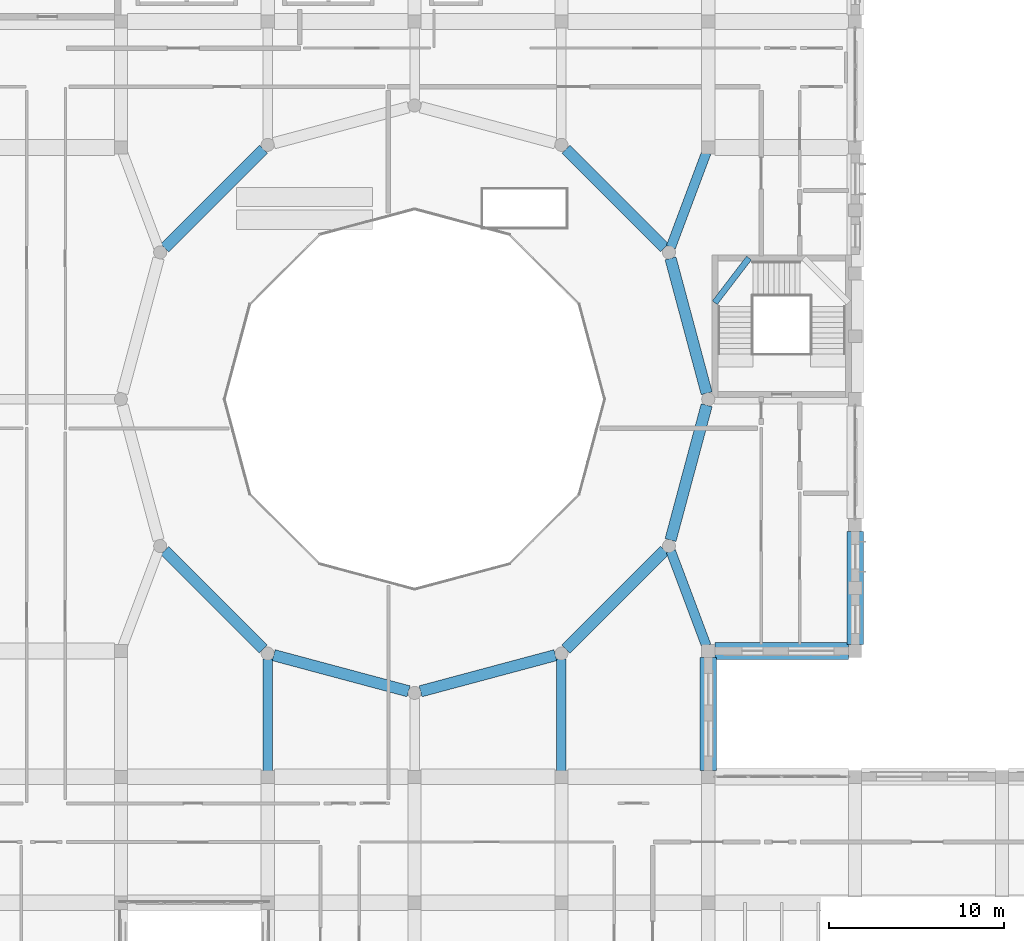
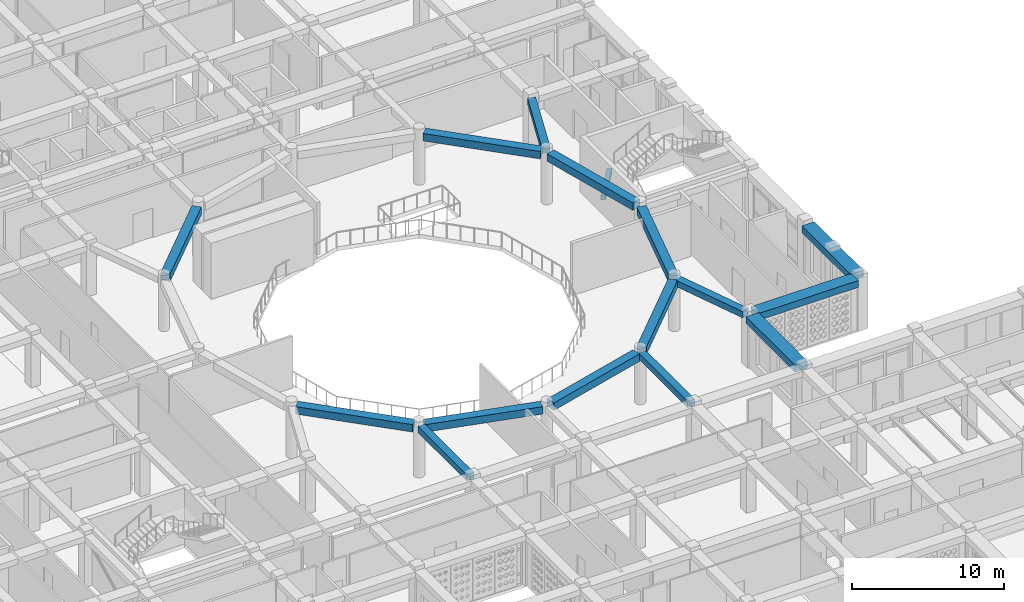
# One storey, part 29 of 111: 16 beams.
"""IFC4 building model written with IfcOpenShell, lengths in metres."""

from ifc_helpers import new_model, si_unit, derived_unit, direction, frame, origin, origin_2d, place, context, subcontext, project, spatial, rectangle, extrude, material, material_profile, profile_set, type_object, element, save


model = new_model("IFC4")

# Units and contexts
model_context = context("Model", 3, precision=1e-05, world=origin(), true_north=direction((0.0, 1.0)))
body_context = subcontext(model_context, "Body", "Model", "MODEL_VIEW")
ifc_project = project(units=[si_unit("LENGTHUNIT", "METRE"), si_unit("AREAUNIT", "SQUARE_METRE"), si_unit("VOLUMEUNIT", "CUBIC_METRE"), si_unit("PLANEANGLEUNIT", "RADIAN"), si_unit("MASSUNIT", "GRAM", prefix="KILO"), derived_unit("THERMALTRANSMITTANCEUNIT", [(si_unit("POWERUNIT", "WATT"), 1), (si_unit("LENGTHUNIT", "METRE"), -2), (si_unit("THERMODYNAMICTEMPERATUREUNIT", "KELVIN"), -1)])], contexts=[model_context])

# Site, building, storey
site_placement = place(None, origin())
site = spatial("IfcSite", under=ifc_project, at=site_placement, CompositionType="ELEMENT")
building_placement = place(site_placement, origin())
building = spatial("IfcBuilding", under=site, at=building_placement, Name="Veybourne Emporium", CompositionType="ELEMENT")
storey_placement = place(building_placement, frame((0.0, 0.0, 9.89990234375)))
storey = spatial("IfcBuildingStorey", under=building, at=storey_placement, Name="L02", CompositionType="ELEMENT", Elevation=9.89990234375)

# Beams
ifc_material = material(Name="Concrete C32/40", Category="concrete")
ifc_material_profile_1 = material_profile(ifc_material, rectangle(XDim=0.35009765625, YDim=0.35009765625, at=origin_2d()), Name="RC 350x350")
ifc_profile_set_1 = profile_set([ifc_material_profile_1], Name="Concrete C32/40")
beam_type_1 = type_object("IfcBeamType", Name="LandingBeam_LB-01", PredefinedType="BEAM", material=ifc_profile_set_1)
beam_1_placement = place(storey_placement, frame((92.77490234375, 55.919921875, 1.125), z_axis=(0.607669780071, 0.794189799978, 0.0), x_axis=(-0.794189799978, 0.607669780071, 0.0)))
element("IfcBeam", 1, at=beam_1_placement, inside=storey, type_object=beam_type_1, Name="L02 ST-07 landing 1 support beam", PredefinedType="BEAM", context=body_context, shape_type="SweptSolid", body=[
    extrude(rectangle(XDim=0.35009765625, YDim=0.35009765625, at=origin_2d()), origin(), (0.0, 0.0, 1.0), 3.21728515625),
])
ifc_material_profile_2 = material_profile(ifc_material, rectangle(XDim=0.949951171875, YDim=0.550048828125, at=origin_2d()), Name="RC 950x550")
ifc_profile_set_2 = profile_set([ifc_material_profile_2], Name="Concrete C32/40")
beam_type_2 = type_object("IfcBeamType", Name="RCBeam_EB-01", PredefinedType="SPANDREL", material=ifc_profile_set_2)
beam_2_placement = place(storey_placement, frame((92.77490234375, 36.0, 3.905029296875), z_axis=(1.0, 0.0, 0.0), x_axis=(0.0, 1.0, 0.0)))
element("IfcBeam", 2, at=beam_2_placement, inside=storey, type_object=beam_type_2, Name="L02 X-grid beam EB-01 (11,5)", PredefinedType="SPANDREL", context=body_context, shape_type="SweptSolid", body=[
    extrude(rectangle(XDim=0.949951171875, YDim=0.550048828125, at=origin_2d()), origin(), (0.0, 0.0, 1.0), 7.650146484375),
])
for number, where, z_axis, x_axis, name in (
    (3, (92.39990234375, 29.175048828125, 3.905029296875), (0.0, 1.0, 0.0), (-1.0, 0.0, 0.0), "L02 Y-grid beam EB-01 (11,4)"),
    (4, (100.800048828125, 36.375, 3.905029296875), (0.0, 1.0, 0.0), (-1.0, 0.0, 0.0), "L02 Y-grid beam EB-01 (12,5)"),
):
    element("IfcBeam", number, at=place(storey_placement, frame(where, z_axis=z_axis, x_axis=x_axis)), inside=storey, type_object=beam_type_2, Name=name, PredefinedType="SPANDREL", context=body_context, shape_type="SweptSolid", body=[
        extrude(rectangle(XDim=0.949951171875, YDim=0.550048828125, at=origin_2d()), origin(), (0.0, 0.0, 1.0), 6.449951171875),
    ])
ifc_material_profile_3 = material_profile(ifc_material, rectangle(XDim=0.64990234375, YDim=0.60009765625, at=origin_2d()), Name="RC 650x600")
ifc_profile_set_3 = profile_set([ifc_material_profile_3], Name="Concrete C32/40")
beam_type_3 = type_object("IfcBeamType", Name="RCBeam_EB-02", PredefinedType="BEAM", material=ifc_profile_set_3)
for number, where, z_axis, x_axis, name in (
    (5, (92.30810546875, 50.742919921875, 3.880126953125), (-0.258807903268, 0.965928811666, 0.0), (-0.965928811666, -0.258807903268, 0.0), "Atrium ring beam EB-02 L02-01"),
    (6, (89.898193359375, 59.051025390625, 3.880126953125), (-0.707106781187, 0.707106781187, 0.0), (-0.707106781187, -0.707106781187, 0.0), "Atrium ring beam EB-02 L02-02"),
    (7, (66.948974609375, 64.6982421875, 3.880126953125), (-0.707106781187, -0.707106781187, 0.0), (0.707106781187, -0.707106781187, 0.0), "Atrium ring beam EB-02 L02-05"),
    (8, (61.3017578125, 41.7490234375, 3.880126953125), (0.707106781187, -0.707106781187, 0.0), (0.707106781187, 0.707106781187, 0.0), "Atrium ring beam EB-02 L02-08"),
    (9, (67.54296875, 35.7587890625, 3.880126953125), (0.965928811666, -0.258807903268, 0.0), (0.258807903268, 0.965928811666, 0.0), "Atrium ring beam EB-02 L02-09"),
    (10, (75.94287109375, 33.69189453125, 3.880126953125), (0.965928811666, 0.258807903268, 0.0), (-0.258807903268, 0.965928811666, 0.0), "Atrium ring beam EB-02 L02-10"),
    (11, (84.2509765625, 36.101806640625, 3.880126953125), (0.707106781187, 0.707106781187, 0.0), (-0.707106781187, 0.707106781187, 0.0), "Atrium ring beam EB-02 L02-11"),
    (12, (90.2412109375, 42.343017578125, 3.880126953125), (0.258807903268, 0.965928811666, 0.0), (-0.965928811666, 0.258807903268, 0.0), "Atrium ring beam EB-02 L02-12"),
):
    element("IfcBeam", number, at=place(storey_placement, frame(where, z_axis=z_axis, x_axis=x_axis)), inside=storey, type_object=beam_type_3, Name=name, PredefinedType="BEAM", context=body_context, shape_type="SweptSolid", body=[
        extrude(rectangle(XDim=0.64990234375, YDim=0.60009765625, at=origin_2d()), origin(), (0.0, 0.0, 1.0), 7.986328125),
    ])
ifc_material_profile_4 = material_profile(ifc_material, rectangle(XDim=0.550048828125, YDim=0.5, at=origin_2d()), Name="RC 550x500")
ifc_profile_set_4 = profile_set([ifc_material_profile_4], Name="Concrete C32/40")
beam_type_4 = type_object("IfcBeamType", Name="RCBeam_TB-01", PredefinedType="BEAM", material=ifc_profile_set_4)
beam_3_placement = place(storey_placement, frame((90.259765625, 59.094970703125, 3.93017578125), z_axis=(0.351234565667, 0.936287498518, 0.0), x_axis=(-0.936287498518, 0.351234565667, 0.0)))
element("IfcBeam", 13, at=beam_3_placement, inside=storey, type_object=beam_type_4, Name="Atrium radial tie beam L02-02", PredefinedType="BEAM", context=body_context, shape_type="SweptSolid", body=[
    extrude(rectangle(XDim=0.550048828125, YDim=0.5, at=origin_2d()), origin(), (0.0, 0.0, 1.0), 5.7783203125),
])
for number, where, z_axis, x_axis, name in (
    (14, (67.199951171875, 35.535888671875, 3.93017578125), (0.0, -1.0, 0.0), (1.0, 0.0, 0.0), "Atrium radial tie beam L02-09"),
    (15, (84.0, 35.535888671875, 3.93017578125), (0.0, -1.0, 0.0), (1.0, 0.0, 0.0), "Atrium radial tie beam L02-11"),
):
    element("IfcBeam", number, at=place(storey_placement, frame(where, z_axis=z_axis, x_axis=x_axis)), inside=storey, type_object=beam_type_4, Name=name, PredefinedType="BEAM", context=body_context, shape_type="SweptSolid", body=[
        extrude(rectangle(XDim=0.550048828125, YDim=0.5, at=origin_2d()), origin(), (0.0, 0.0, 1.0), 6.4208984375),
    ])
beam_4_placement = place(storey_placement, frame((90.259765625, 41.705078125, 3.93017578125), z_axis=(0.351234565667, -0.936287498518, 0.0), x_axis=(0.936287498518, 0.351234565667, 0.0)))
element("IfcBeam", 16, at=beam_4_placement, inside=storey, type_object=beam_type_4, Name="Atrium radial tie beam L02-12", PredefinedType="BEAM", context=body_context, shape_type="SweptSolid", body=[
    extrude(rectangle(XDim=0.550048828125, YDim=0.5, at=origin_2d()), origin(), (0.0, 0.0, 1.0), 5.7783203125),
])

save(model, "model.ifc")
